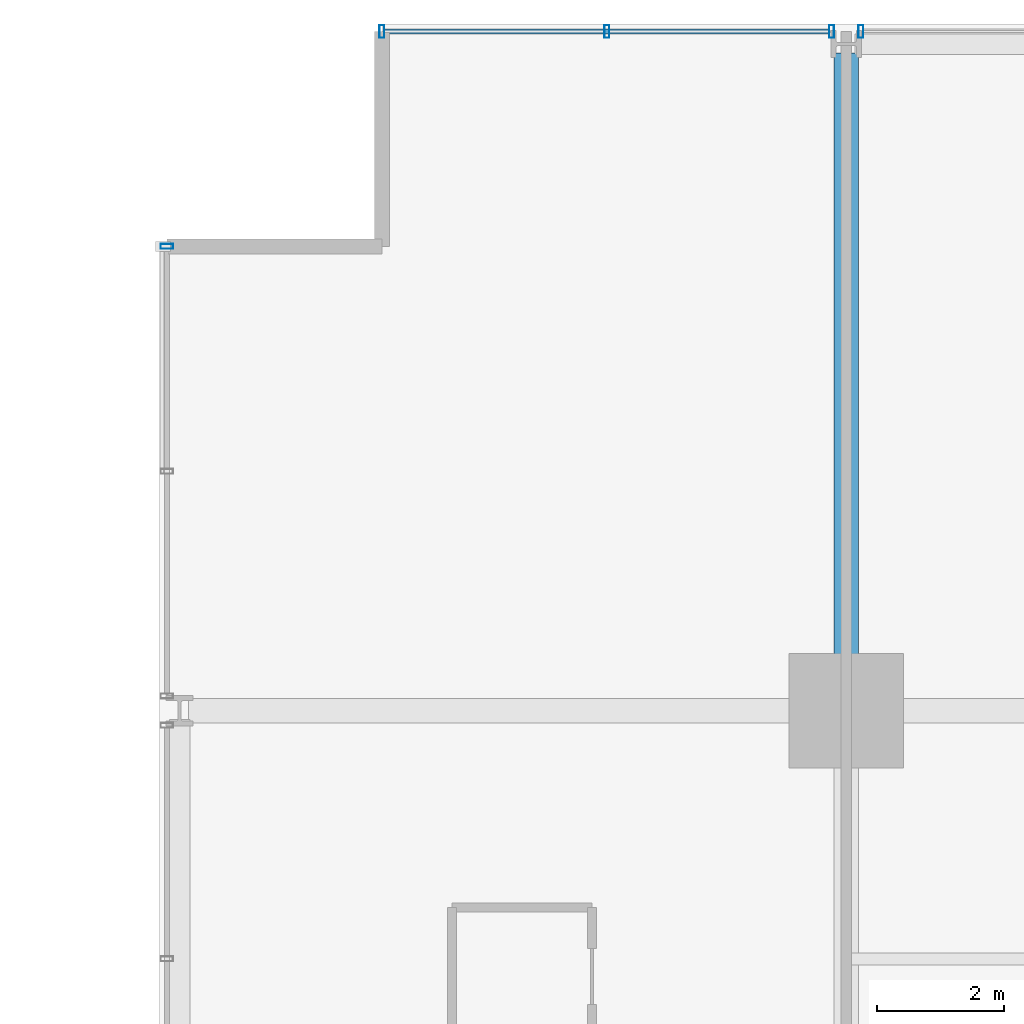
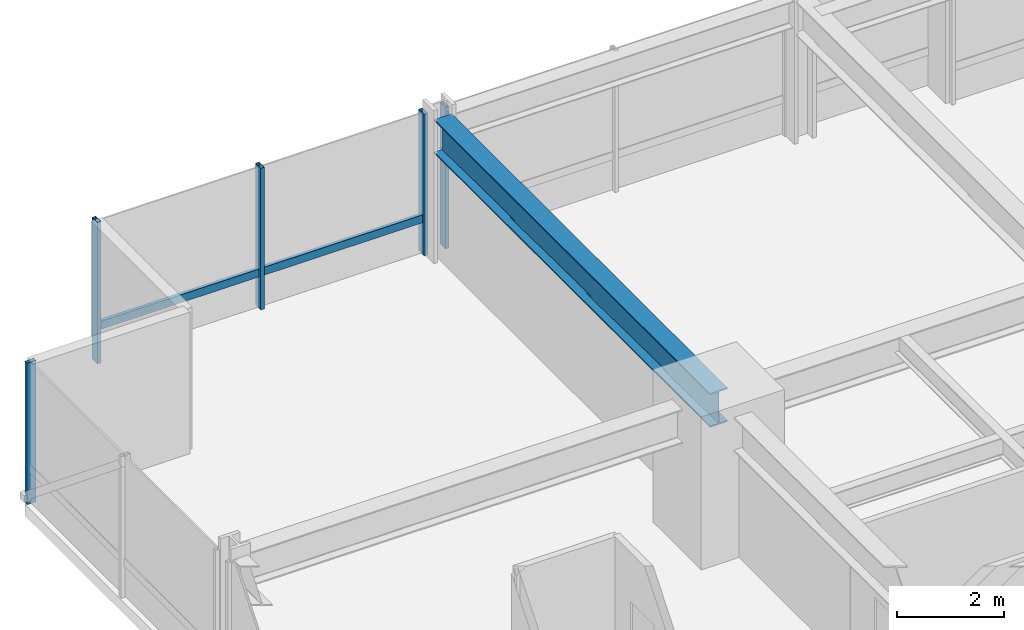
# One storey, part 21 of 37: 6 members, 1 beam, 3 elements without a shape of their own.
"""IFC4 building model written with IfcOpenShell, lengths in metres."""

from ifc_helpers import new_model, si_unit, direction, frame, origin, origin_2d, place, context, subcontext, project, spatial, hollow_rectangle, i_section, extrude, material, layer, layer_set, material_profile, profile_set, type_object, element, aggregate, save


model = new_model("IFC4")

# Units and contexts
model_context = context("Model", 3, precision=1e-05, world=origin(), true_north=direction((0.0, 1.0)))
body_context = subcontext(model_context, "Body", "Model", "MODEL_VIEW")
ifc_project = project(units=[si_unit("LENGTHUNIT", "METRE"), si_unit("AREAUNIT", "SQUARE_METRE"), si_unit("VOLUMEUNIT", "CUBIC_METRE"), si_unit("PLANEANGLEUNIT", "RADIAN"), si_unit("MASSUNIT", "GRAM", prefix="KILO")], contexts=[model_context])

# Site, building, storey
site_placement = place(None, origin())
site = spatial("IfcSite", under=ifc_project, at=site_placement, CompositionType="ELEMENT")
building_placement = place(site_placement, origin())
building = spatial("IfcBuilding", under=site, at=building_placement, Name="Drelvath Grand Hotel", CompositionType="ELEMENT")
storey_placement = place(building_placement, frame((0.0, 0.0, 75.199951171875)))
storey = spatial("IfcBuildingStorey", under=building, at=storey_placement, Name="L18", CompositionType="ELEMENT", Elevation=75.199951171875)

# Curtain wall, member
ifc_material_1 = material(Name="Warm Bronze Anodised Aluminium Frame", Category="aluminium")
ifc_layer = layer(ifc_material_1, 0.199951171875)
ifc_layer_set = layer_set([ifc_layer], Name="Warm Bronze Anodised Aluminium Frame")
curtain_wall_type = type_object("IfcCurtainWallType", Name="Stick Curtain Wall CW-02 Warm Bronze Low-Rise", PredefinedType="NOTDEFINED", material=ifc_layer_set)
curtain_wall_1_placement = place(storey_placement, origin())
curtain_wall_1 = element("IfcCurtainWall", 1, at=curtain_wall_1_placement, inside=storey, type_object=curtain_wall_type, Name="L18 CW-02 Curtain Wall CW02-L18-NW1", PredefinedType="NOTDEFINED")
ifc_material_profile_1 = material_profile(ifc_material_1, hollow_rectangle(XDim=0.074951171875, YDim=0.179931640625, WallThickness=0.0048828125, at=origin_2d()), Name="HSS180X75X5")
ifc_profile_set_1 = profile_set([ifc_material_profile_1], Name="Warm Bronze Anodised Aluminium Frame")
member_type_1 = type_object("IfcMemberType", Name="Curtain Wall Horizontal Transom CW-02 HSS180X75X5", PredefinedType="USERDEFINED", material=ifc_profile_set_1)
member_1_placement = place(storey_placement, frame((-23.4599609375, 53.8798828125, 0.81005859375), z_axis=(1.0, 0.0, 0.0), x_axis=(0.0, 1.0, 0.0)))
member_1 = element("IfcMember", 2, at=member_1_placement, type_object=member_type_1, Name="CW02-L18-NW1 Sill Transom", ObjectType="TRANSOM", PredefinedType="USERDEFINED", context=body_context, shape_type="SweptSolid", body=[
    extrude(hollow_rectangle(XDim=0.074951171875, YDim=0.179931640625, WallThickness=0.0048828125, at=origin_2d()), origin(), (0.0, 0.0, 1.0), 6.990966796875),
])

curtain_wall_2_placement = place(storey_placement, origin())
curtain_wall_2 = element("IfcCurtainWall", 3, at=curtain_wall_2_placement, inside=storey, type_object=curtain_wall_type, Name="L18 CW-02 Curtain Wall CW02-L18-WN3", PredefinedType="NOTDEFINED")
ifc_material_profile_2 = material_profile(ifc_material_1, hollow_rectangle(XDim=0.080078125, YDim=0.199951171875, WallThickness=0.0048828125, at=origin_2d()), Name="HSS200X80X5")
ifc_profile_set_2 = profile_set([ifc_material_profile_2], Name="Warm Bronze Anodised Aluminium Frame")
member_type_2 = type_object("IfcMemberType", Name="Curtain Wall Vertical Mullion CW-02 HSS200X80X5", PredefinedType="MULLION", material=ifc_profile_set_2)
member_2_placement = place(storey_placement, frame((-26.8798828125, 50.5, 0.0), z_axis=(0.0, 0.0, 1.0), x_axis=(0.0, 1.0, 0.0)))
member_2 = element("IfcMember", 4, at=member_2_placement, type_object=member_type_2, Name="CW02-L18-WN3 Mullion 3", PredefinedType="MULLION", context=body_context, shape_type="SweptSolid", body=[
    extrude(hollow_rectangle(XDim=0.080078125, YDim=0.199951171875, WallThickness=0.0048828125, at=origin_2d()), origin(), (0.0, 0.0, 1.0), 3.239990234375),
])
aggregate(curtain_wall_2, [member_2])

# Member
member_3_placement = place(storey_placement, frame((-23.5, 53.8798828125, 0.0), z_axis=(0.0, 0.0, 1.0), x_axis=(1.0, 0.0, 0.0)))
member_3 = element("IfcMember", 5, at=member_3_placement, type_object=member_type_2, Name="CW02-L18-NW1 Mullion 1", PredefinedType="MULLION", context=body_context, shape_type="SweptSolid", body=[
    extrude(hollow_rectangle(XDim=0.080078125, YDim=0.199951171875, WallThickness=0.0048828125, at=origin_2d()), origin(), (0.0, 0.0, 1.0), 3.239990234375),
])

member_4_placement = place(storey_placement, frame((-19.964599609375, 53.8798828125, 0.0), z_axis=(0.0, 0.0, 1.0), x_axis=(1.0, 0.0, 0.0)))
member_4 = element("IfcMember", 6, at=member_4_placement, type_object=member_type_2, Name="CW02-L18-NW1 Mullion 2", PredefinedType="MULLION", context=body_context, shape_type="SweptSolid", body=[
    extrude(hollow_rectangle(XDim=0.080078125, YDim=0.199951171875, WallThickness=0.0048828125, at=origin_2d()), origin(), (0.0, 0.0, 1.0), 3.239990234375),
])

member_5_placement = place(storey_placement, frame((-16.42919921875, 53.8798828125, 0.0), z_axis=(0.0, 0.0, 1.0), x_axis=(1.0, 0.0, 0.0)))
member_5 = element("IfcMember", 7, at=member_5_placement, type_object=member_type_2, Name="CW02-L18-NW1 Mullion 3", PredefinedType="MULLION", context=body_context, shape_type="SweptSolid", body=[
    extrude(hollow_rectangle(XDim=0.080078125, YDim=0.199951171875, WallThickness=0.0048828125, at=origin_2d()), origin(), (0.0, 0.0, 1.0), 3.239990234375),
])

aggregate(curtain_wall_1, [member_3, member_4, member_5, member_1])

# Curtain wall, member
curtain_wall_3_placement = place(storey_placement, origin())
curtain_wall_3 = element("IfcCurtainWall", 8, at=curtain_wall_3_placement, inside=storey, type_object=curtain_wall_type, Name="L18 CW-02 Curtain Wall CW02-L18-NW2", PredefinedType="NOTDEFINED")
member_6_placement = place(storey_placement, frame((-15.970947265625, 53.8798828125, 0.0), z_axis=(0.0, 0.0, 1.0), x_axis=(1.0, 0.0, 0.0)))
member_6 = element("IfcMember", 9, at=member_6_placement, type_object=member_type_2, Name="CW02-L18-NW2 Mullion 1", PredefinedType="MULLION", context=body_context, shape_type="SweptSolid", body=[
    extrude(hollow_rectangle(XDim=0.080078125, YDim=0.199951171875, WallThickness=0.0048828125, at=origin_2d()), origin(), (0.0, 0.0, 1.0), 3.239990234375),
])
aggregate(curtain_wall_3, [member_6])

# Beam
ifc_material_2 = material(Name="Steel ASTM A992 Gr 50", Category="steel")
ifc_material_profile_3 = material_profile(ifc_material_2, i_section(OverallWidth=0.380615234375, OverallDepth=0.773193359375, WebThickness=0.0166015625, FlangeThickness=0.027099609375, FilletRadius=0.02490234375, at=origin_2d()), Name="W30X173")
ifc_profile_set_3 = profile_set([ifc_material_profile_3], Name="Steel ASTM A992 Gr 50")
beam_type = type_object("IfcBeamType", Name="Primary Floor Girder W30X173", PredefinedType="BEAM", material=ifc_profile_set_3)
beam_placement = place(storey_placement, frame((-16.199951171875, 43.199951171875, 2.853515625), z_axis=(0.0, 1.0, 0.0), x_axis=(-1.0, 0.0, 0.0)))
element("IfcBeam", 10, at=beam_placement, inside=storey, type_object=beam_type, Name="L18 North Grid Girder 3", PredefinedType="BEAM", context=body_context, shape_type="SweptSolid", body=[
    extrude(i_section(OverallWidth=0.380615234375, OverallDepth=0.773193359375, WebThickness=0.0166015625, FlangeThickness=0.027099609375, FilletRadius=0.02490234375, at=origin_2d()), origin(), (0.0, 0.0, 1.0), 10.340087890625),
])

save(model, "model.ifc")
